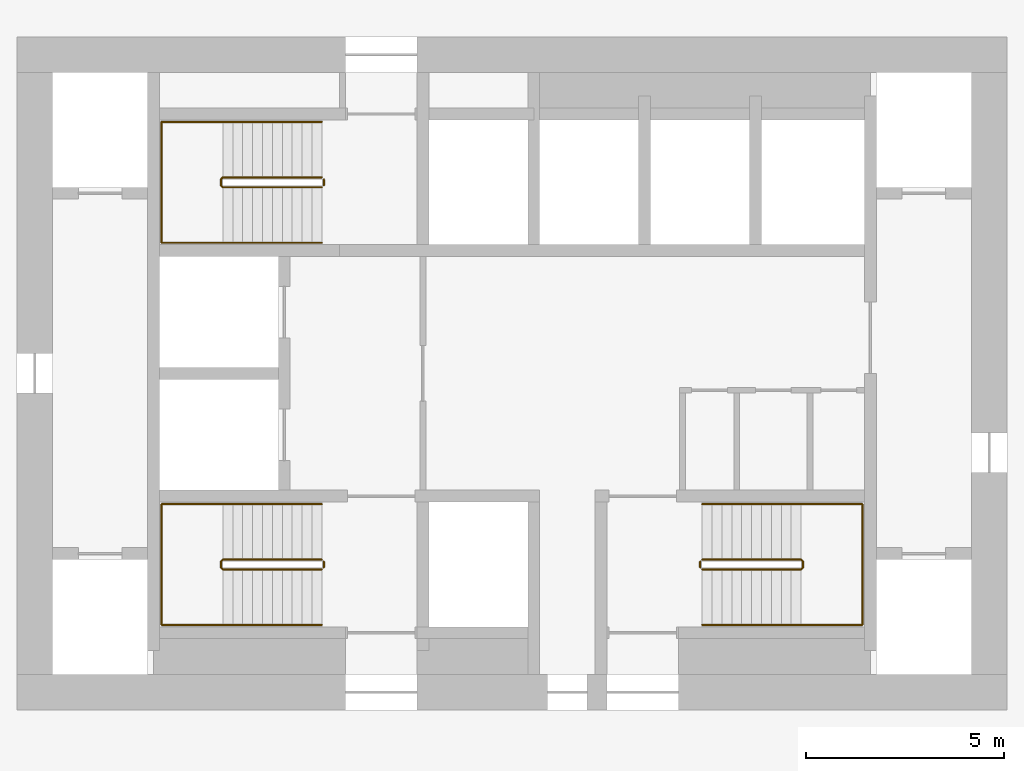
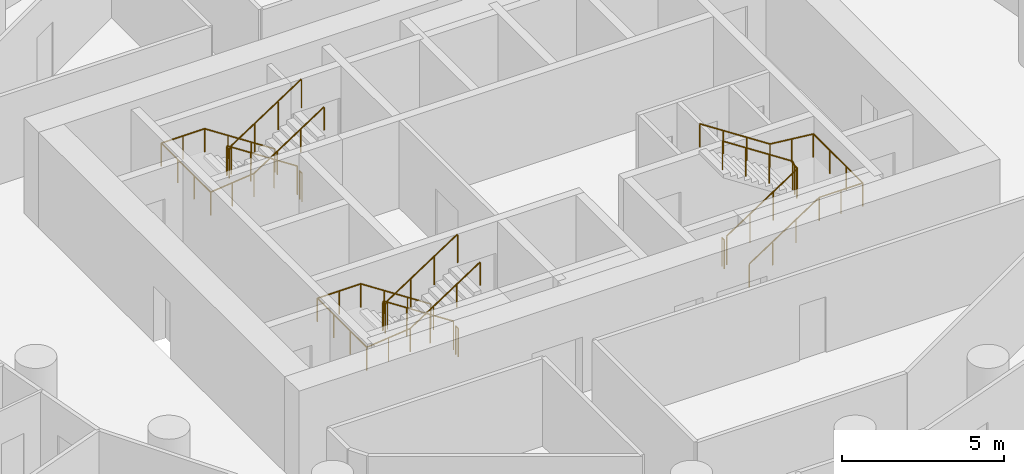
# One storey, part 10 of 10: 9 railings.
"""IFC4 building model written with IfcOpenShell, lengths in metres."""

from ifc_helpers import new_model, si_unit, direction, frame, origin, origin_2d, place, context, subcontext, project, spatial, circle, extrude, material, type_object, element, save


model = new_model("IFC4")

# Units and contexts
model_context = context("Model", 3, precision=1e-05, world=origin(), true_north=direction((0.0, 1.0)))
body_context = subcontext(model_context, "Body", "Model", "MODEL_VIEW")
ifc_project = project(units=[si_unit("LENGTHUNIT", "METRE"), si_unit("AREAUNIT", "SQUARE_METRE"), si_unit("VOLUMEUNIT", "CUBIC_METRE"), si_unit("PLANEANGLEUNIT", "RADIAN"), si_unit("MASSUNIT", "GRAM", prefix="KILO")], contexts=[model_context])

# Site, building, storey
site_placement = place(None, origin())
site = spatial("IfcSite", under=ifc_project, at=site_placement, CompositionType="ELEMENT")
building_placement = place(site_placement, origin())
building = spatial("IfcBuilding", under=site, at=building_placement, Name="Tracery Tower", CompositionType="ELEMENT")
storey_placement = place(building_placement, frame((0.0, 0.0, 144.0)))
storey = spatial("IfcBuildingStorey", under=building, at=storey_placement, Name="L36", CompositionType="ELEMENT", Elevation=144.0)

# Railings
ifc_material_1 = material(Name="Stainless steel and laminated glass", Category="steel")
railing_type_1 = type_object("IfcRailingType", Name="Stair guard 1100", PredefinedType="GUARDRAIL", material=ifc_material_1)
railing_1_placement = place(storey_placement, frame((-4.800048828125, -4.699951171875, 0.16357421875)))
element("IfcRailing", 1, at=railing_1_placement, inside=storey, type_object=railing_type_1, Name="L36 stair ST1 guard 1", PredefinedType="GUARDRAIL", context=body_context, shape_type="SweptSolid", body=[
    extrude(circle(Radius=0.02392578125, at=origin_2d()), frame((0.0, 0.0, 1.076171875), z_axis=(-0.83668449804, 0.0, 0.54768517484), x_axis=(0.0, -1.0, 0.0)), (0.0, 0.0, 1.0), 2.988037109375),
    extrude(circle(Radius=0.02392578125, at=origin_2d()), frame((-2.5, 0.0, 2.71240234375), z_axis=(-0.707106781187, -0.707106781187, 0.0), x_axis=(0.707106781187, -0.707106781187, 0.0)), (0.0, 0.0, 1.0), 0.07080078125),
    extrude(circle(Radius=0.02392578125, at=origin_2d()), frame((-2.550048828125, -0.050048828125, 2.71240234375), z_axis=(0.0, -1.0, 0.0), x_axis=(1.0, 0.0, 0.0)), (0.0, 0.0, 1.0), 0.14990234375),
    extrude(circle(Radius=0.02392578125, at=origin_2d()), frame((-2.550048828125, -0.199951171875, 2.71240234375), z_axis=(0.280808744504, -0.280808744504, 0.917765164963), x_axis=(0.707106781187, 0.707106781187, 0.0)), (0.0, 0.0, 1.0), 0.17822265625),
    extrude(circle(Radius=0.02392578125, at=origin_2d()), frame((-2.5, -0.25, 2.8759765625), z_axis=(0.83668449804, 0.0, 0.54768517484), x_axis=(0.0, 1.0, 0.0)), (0.0, 0.0, 1.0), 2.988037109375),
    extrude(circle(Radius=0.02099609375, at=origin_2d()), origin(), (0.0, 0.0, 1.0), 1.052001953125),
    extrude(circle(Radius=0.02099609375, at=origin_2d()), frame((-0.833251953125, 0.0, 0.54541015625)), (0.0, 0.0, 1.0), 1.052001953125),
    extrude(circle(Radius=0.02099609375, at=origin_2d()), frame((-1.666748046875, 0.0, 1.091064453125)), (0.0, 0.0, 1.0), 1.052001953125),
    extrude(circle(Radius=0.02099609375, at=origin_2d()), frame((-2.5, 0.0, 1.636474609375)), (0.0, 0.0, 1.0), 1.052001953125),
    extrude(circle(Radius=0.02099609375, at=origin_2d()), frame((-2.550048828125, -0.050048828125, 1.636474609375)), (0.0, 0.0, 1.0), 1.052001953125),
    extrude(circle(Radius=0.02099609375, at=origin_2d()), frame((-2.550048828125, -0.199951171875, 1.636474609375)), (0.0, 0.0, 1.0), 1.052001953125),
    extrude(circle(Radius=0.02099609375, at=origin_2d()), frame((-2.5, -0.25, 1.800048828125)), (0.0, 0.0, 1.0), 1.052001953125),
    extrude(circle(Radius=0.02099609375, at=origin_2d()), frame((-1.666748046875, -0.25, 2.345458984375)), (0.0, 0.0, 1.0), 1.052001953125),
    extrude(circle(Radius=0.02099609375, at=origin_2d()), frame((-0.833251953125, -0.25, 2.89111328125)), (0.0, 0.0, 1.0), 1.052001953125),
    extrude(circle(Radius=0.02099609375, at=origin_2d()), frame((0.0, -0.25, 3.4365234375)), (0.0, 0.0, 1.0), 1.052001953125),
])
railing_2_placement = place(storey_placement, frame((-4.75, -4.75, 0.0)))
element("IfcRailing", 2, at=railing_2_placement, inside=storey, type_object=railing_type_1, Name="L36 stair ST1 guard 2", PredefinedType="GUARDRAIL", context=body_context, shape_type="SweptSolid", body=[
    extrude(circle(Radius=0.02392578125, at=origin_2d()), frame((0.0, 0.0, 1.076171875), z_axis=(0.0, -1.0, 0.0), x_axis=(1.0, 0.0, 0.0)), (0.0, 0.0, 1.0), 0.14990234375),
    extrude(circle(Radius=0.02099609375, at=origin_2d()), origin(), (0.0, 0.0, 1.0), 1.052001953125),
    extrude(circle(Radius=0.02099609375, at=origin_2d()), frame((0.0, -0.14990234375, 0.0)), (0.0, 0.0, 1.0), 1.052001953125),
])
railing_3_placement = place(storey_placement, frame((-4.800048828125, 4.949951171875, 0.16357421875)))
element("IfcRailing", 3, at=railing_3_placement, inside=storey, type_object=railing_type_1, Name="L36 stair ST3 guard 1", PredefinedType="GUARDRAIL", context=body_context, shape_type="SweptSolid", body=[
    extrude(circle(Radius=0.02392578125, at=origin_2d()), frame((0.0, 0.0, 1.076171875), z_axis=(-0.83668449804, 0.0, 0.54768517484), x_axis=(0.0, -1.0, 0.0)), (0.0, 0.0, 1.0), 2.988037109375),
    extrude(circle(Radius=0.02392578125, at=origin_2d()), frame((-2.5, 0.0, 2.71240234375), z_axis=(-0.707106781187, -0.707106781187, 0.0), x_axis=(0.707106781187, -0.707106781187, 0.0)), (0.0, 0.0, 1.0), 0.07080078125),
    extrude(circle(Radius=0.02392578125, at=origin_2d()), frame((-2.550048828125, -0.050048828125, 2.71240234375), z_axis=(0.0, -1.0, 0.0), x_axis=(1.0, 0.0, 0.0)), (0.0, 0.0, 1.0), 0.14990234375),
    extrude(circle(Radius=0.02392578125, at=origin_2d()), frame((-2.550048828125, -0.199951171875, 2.71240234375), z_axis=(0.280808744504, -0.280808744504, 0.917765164963), x_axis=(0.707106781187, 0.707106781187, 0.0)), (0.0, 0.0, 1.0), 0.17822265625),
    extrude(circle(Radius=0.02392578125, at=origin_2d()), frame((-2.5, -0.25, 2.8759765625), z_axis=(0.83668449804, 0.0, 0.54768517484), x_axis=(0.0, 1.0, 0.0)), (0.0, 0.0, 1.0), 2.988037109375),
    extrude(circle(Radius=0.02099609375, at=origin_2d()), origin(), (0.0, 0.0, 1.0), 1.052001953125),
    extrude(circle(Radius=0.02099609375, at=origin_2d()), frame((-0.833251953125, 0.0, 0.54541015625)), (0.0, 0.0, 1.0), 1.052001953125),
    extrude(circle(Radius=0.02099609375, at=origin_2d()), frame((-1.666748046875, 0.0, 1.091064453125)), (0.0, 0.0, 1.0), 1.052001953125),
    extrude(circle(Radius=0.02099609375, at=origin_2d()), frame((-2.5, 0.0, 1.636474609375)), (0.0, 0.0, 1.0), 1.052001953125),
    extrude(circle(Radius=0.02099609375, at=origin_2d()), frame((-2.550048828125, -0.050048828125, 1.636474609375)), (0.0, 0.0, 1.0), 1.052001953125),
    extrude(circle(Radius=0.02099609375, at=origin_2d()), frame((-2.550048828125, -0.199951171875, 1.636474609375)), (0.0, 0.0, 1.0), 1.052001953125),
    extrude(circle(Radius=0.02099609375, at=origin_2d()), frame((-2.5, -0.25, 1.800048828125)), (0.0, 0.0, 1.0), 1.052001953125),
    extrude(circle(Radius=0.02099609375, at=origin_2d()), frame((-1.666748046875, -0.25, 2.345458984375)), (0.0, 0.0, 1.0), 1.052001953125),
    extrude(circle(Radius=0.02099609375, at=origin_2d()), frame((-0.833251953125, -0.25, 2.89111328125)), (0.0, 0.0, 1.0), 1.052001953125),
    extrude(circle(Radius=0.02099609375, at=origin_2d()), frame((0.0, -0.25, 3.4365234375)), (0.0, 0.0, 1.0), 1.052001953125),
])
railing_4_placement = place(storey_placement, frame((-4.75, 4.89990234375, 0.0)))
element("IfcRailing", 4, at=railing_4_placement, inside=storey, type_object=railing_type_1, Name="L36 stair ST3 guard 2", PredefinedType="GUARDRAIL", context=body_context, shape_type="SweptSolid", body=[
    extrude(circle(Radius=0.02392578125, at=origin_2d()), frame((0.0, 0.0, 1.076171875), z_axis=(0.0, -1.0, 0.0), x_axis=(1.0, 0.0, 0.0)), (0.0, 0.0, 1.0), 0.14990234375),
    extrude(circle(Radius=0.02099609375, at=origin_2d()), origin(), (0.0, 0.0, 1.0), 1.052001953125),
    extrude(circle(Radius=0.02099609375, at=origin_2d()), frame((0.0, -0.14990234375, 0.0)), (0.0, 0.0, 1.0), 1.052001953125),
])
railing_5_placement = place(storey_placement, frame((4.800048828125, -4.949951171875, 0.16357421875)))
element("IfcRailing", 5, at=railing_5_placement, inside=storey, type_object=railing_type_1, Name="L36 stair ST2 guard 1", PredefinedType="GUARDRAIL", context=body_context, shape_type="SweptSolid", body=[
    extrude(circle(Radius=0.02392578125, at=origin_2d()), frame((0.0, 0.0, 1.076171875), z_axis=(0.83668449804, 0.0, 0.54768517484), x_axis=(0.0, 1.0, 0.0)), (0.0, 0.0, 1.0), 2.988037109375),
    extrude(circle(Radius=0.02392578125, at=origin_2d()), frame((2.5, 0.0, 2.71240234375), z_axis=(0.707106781187, 0.707106781187, 0.0), x_axis=(-0.707106781187, 0.707106781187, 0.0)), (0.0, 0.0, 1.0), 0.07080078125),
    extrude(circle(Radius=0.02392578125, at=origin_2d()), frame((2.550048828125, 0.050048828125, 2.71240234375), z_axis=(0.0, 1.0, 0.0), x_axis=(-1.0, 0.0, 0.0)), (0.0, 0.0, 1.0), 0.14990234375),
    extrude(circle(Radius=0.02392578125, at=origin_2d()), frame((2.550048828125, 0.199951171875, 2.71240234375), z_axis=(-0.280808744504, 0.280808744504, 0.917765164963), x_axis=(-0.707106781187, -0.707106781187, 0.0)), (0.0, 0.0, 1.0), 0.17822265625),
    extrude(circle(Radius=0.02392578125, at=origin_2d()), frame((2.5, 0.25, 2.8759765625), z_axis=(-0.83668449804, 0.0, 0.54768517484), x_axis=(0.0, -1.0, 0.0)), (0.0, 0.0, 1.0), 2.988037109375),
    extrude(circle(Radius=0.02099609375, at=origin_2d()), origin(), (0.0, 0.0, 1.0), 1.052001953125),
    extrude(circle(Radius=0.02099609375, at=origin_2d()), frame((0.833251953125, 0.0, 0.54541015625)), (0.0, 0.0, 1.0), 1.052001953125),
    extrude(circle(Radius=0.02099609375, at=origin_2d()), frame((1.666748046875, 0.0, 1.091064453125)), (0.0, 0.0, 1.0), 1.052001953125),
    extrude(circle(Radius=0.02099609375, at=origin_2d()), frame((2.5, 0.0, 1.636474609375)), (0.0, 0.0, 1.0), 1.052001953125),
    extrude(circle(Radius=0.02099609375, at=origin_2d()), frame((2.550048828125, 0.050048828125, 1.636474609375)), (0.0, 0.0, 1.0), 1.052001953125),
    extrude(circle(Radius=0.02099609375, at=origin_2d()), frame((2.550048828125, 0.199951171875, 1.636474609375)), (0.0, 0.0, 1.0), 1.052001953125),
    extrude(circle(Radius=0.02099609375, at=origin_2d()), frame((2.5, 0.25, 1.800048828125)), (0.0, 0.0, 1.0), 1.052001953125),
    extrude(circle(Radius=0.02099609375, at=origin_2d()), frame((1.666748046875, 0.25, 2.345458984375)), (0.0, 0.0, 1.0), 1.052001953125),
    extrude(circle(Radius=0.02099609375, at=origin_2d()), frame((0.833251953125, 0.25, 2.89111328125)), (0.0, 0.0, 1.0), 1.052001953125),
    extrude(circle(Radius=0.02099609375, at=origin_2d()), frame((0.0, 0.25, 3.4365234375)), (0.0, 0.0, 1.0), 1.052001953125),
])
railing_6_placement = place(storey_placement, frame((4.75, -4.89990234375, 0.0)))
element("IfcRailing", 6, at=railing_6_placement, inside=storey, type_object=railing_type_1, Name="L36 stair ST2 guard 2", PredefinedType="GUARDRAIL", context=body_context, shape_type="SweptSolid", body=[
    extrude(circle(Radius=0.02392578125, at=origin_2d()), frame((0.0, 0.0, 1.076171875), z_axis=(0.0, 1.0, 0.0), x_axis=(-1.0, 0.0, 0.0)), (0.0, 0.0, 1.0), 0.14990234375),
    extrude(circle(Radius=0.02099609375, at=origin_2d()), origin(), (0.0, 0.0, 1.0), 1.052001953125),
    extrude(circle(Radius=0.02099609375, at=origin_2d()), frame((0.0, 0.14990234375, 0.0)), (0.0, 0.0, 1.0), 1.052001953125),
])
ifc_material_2 = material(Name="Stainless steel and laminated glass", Category="steel")
railing_type_2 = type_object("IfcRailingType", Name="Stair handrail 900", PredefinedType="HANDRAIL", material=ifc_material_2)
railing_7_placement = place(storey_placement, frame((-4.800048828125, -3.300048828125, 0.16357421875)))
element("IfcRailing", 7, at=railing_7_placement, inside=storey, type_object=railing_type_2, Name="L36 stair ST1 handrail 1", PredefinedType="HANDRAIL", context=body_context, shape_type="SweptSolid", body=[
    extrude(circle(Radius=0.02392578125, at=origin_2d()), frame((0.0, 0.0, 0.8759765625), z_axis=(-0.83668449804, 0.0, 0.54768517484), x_axis=(0.0, -1.0, 0.0)), (0.0, 0.0, 1.0), 2.988037109375),
    extrude(circle(Radius=0.02392578125, at=origin_2d()), frame((-2.5, 0.0, 2.51220703125), z_axis=(-1.0, 0.0, 0.0), x_axis=(0.0, -1.0, 0.0)), (0.0, 0.0, 1.0), 1.550048828125),
    extrude(circle(Radius=0.02392578125, at=origin_2d()), frame((-4.050048828125, 0.0, 2.51220703125), z_axis=(0.0, -1.0, 0.0), x_axis=(1.0, 0.0, 0.0)), (0.0, 0.0, 1.0), 3.050048828125),
    extrude(circle(Radius=0.02392578125, at=origin_2d()), frame((-4.050048828125, -3.050048828125, 2.51220703125), z_axis=(0.994477953863, 0.0, 0.104945696817), x_axis=(0.0, 1.0, 0.0)), (0.0, 0.0, 1.0), 1.55859375),
    extrude(circle(Radius=0.02392578125, at=origin_2d()), frame((-2.5, -3.050048828125, 2.67578125), z_axis=(0.83668449804, 0.0, 0.54768517484), x_axis=(0.0, 1.0, 0.0)), (0.0, 0.0, 1.0), 2.988037109375),
    extrude(circle(Radius=0.02099609375, at=origin_2d()), origin(), (0.0, 0.0, 1.0), 0.851806640625),
    extrude(circle(Radius=0.02099609375, at=origin_2d()), frame((-0.833251953125, 0.0, 0.54541015625)), (0.0, 0.0, 1.0), 0.851806640625),
    extrude(circle(Radius=0.02099609375, at=origin_2d()), frame((-1.666748046875, 0.0, 1.091064453125)), (0.0, 0.0, 1.0), 0.851806640625),
    extrude(circle(Radius=0.02099609375, at=origin_2d()), frame((-2.5, 0.0, 1.636474609375)), (0.0, 0.0, 1.0), 0.851806640625),
    extrude(circle(Radius=0.02099609375, at=origin_2d()), frame((-3.27490234375, 0.0, 1.636474609375)), (0.0, 0.0, 1.0), 0.851806640625),
    extrude(circle(Radius=0.02099609375, at=origin_2d()), frame((-4.050048828125, 0.0, 1.636474609375)), (0.0, 0.0, 1.0), 0.851806640625),
    extrude(circle(Radius=0.02099609375, at=origin_2d()), frame((-4.050048828125, -1.0166015625, 1.636474609375)), (0.0, 0.0, 1.0), 0.851806640625),
    extrude(circle(Radius=0.02099609375, at=origin_2d()), frame((-4.050048828125, -2.033447265625, 1.636474609375)), (0.0, 0.0, 1.0), 0.851806640625),
    extrude(circle(Radius=0.02099609375, at=origin_2d()), frame((-4.050048828125, -3.050048828125, 1.636474609375)), (0.0, 0.0, 1.0), 0.851806640625),
    extrude(circle(Radius=0.02099609375, at=origin_2d()), frame((-3.27490234375, -3.050048828125, 1.71826171875)), (0.0, 0.0, 1.0), 0.851806640625),
    extrude(circle(Radius=0.02099609375, at=origin_2d()), frame((-2.5, -3.050048828125, 1.800048828125)), (0.0, 0.0, 1.0), 0.851806640625),
    extrude(circle(Radius=0.02099609375, at=origin_2d()), frame((-1.666748046875, -3.050048828125, 2.345458984375)), (0.0, 0.0, 1.0), 0.851806640625),
    extrude(circle(Radius=0.02099609375, at=origin_2d()), frame((-0.833251953125, -3.050048828125, 2.89111328125)), (0.0, 0.0, 1.0), 0.851806640625),
    extrude(circle(Radius=0.02099609375, at=origin_2d()), frame((0.0, -3.050048828125, 3.4365234375)), (0.0, 0.0, 1.0), 0.851806640625),
])
railing_8_placement = place(storey_placement, frame((-4.800048828125, 6.35009765625, 0.16357421875)))
element("IfcRailing", 8, at=railing_8_placement, inside=storey, type_object=railing_type_2, Name="L36 stair ST3 handrail 1", PredefinedType="HANDRAIL", context=body_context, shape_type="SweptSolid", body=[
    extrude(circle(Radius=0.02392578125, at=origin_2d()), frame((0.0, 0.0, 0.8759765625), z_axis=(-0.83668449804, 0.0, 0.54768517484), x_axis=(0.0, -1.0, 0.0)), (0.0, 0.0, 1.0), 2.988037109375),
    extrude(circle(Radius=0.02392578125, at=origin_2d()), frame((-2.5, 0.0, 2.51220703125), z_axis=(-1.0, 0.0, 0.0), x_axis=(0.0, -1.0, 0.0)), (0.0, 0.0, 1.0), 1.550048828125),
    extrude(circle(Radius=0.02392578125, at=origin_2d()), frame((-4.050048828125, 0.0, 2.51220703125), z_axis=(0.0, -1.0, 0.0), x_axis=(1.0, 0.0, 0.0)), (0.0, 0.0, 1.0), 3.050048828125),
    extrude(circle(Radius=0.02392578125, at=origin_2d()), frame((-4.050048828125, -3.050048828125, 2.51220703125), z_axis=(0.994477953863, 0.0, 0.104945696817), x_axis=(0.0, 1.0, 0.0)), (0.0, 0.0, 1.0), 1.55859375),
    extrude(circle(Radius=0.02392578125, at=origin_2d()), frame((-2.5, -3.050048828125, 2.67578125), z_axis=(0.83668449804, 0.0, 0.54768517484), x_axis=(0.0, 1.0, 0.0)), (0.0, 0.0, 1.0), 2.988037109375),
    extrude(circle(Radius=0.02099609375, at=origin_2d()), origin(), (0.0, 0.0, 1.0), 0.851806640625),
    extrude(circle(Radius=0.02099609375, at=origin_2d()), frame((-0.833251953125, 0.0, 0.54541015625)), (0.0, 0.0, 1.0), 0.851806640625),
    extrude(circle(Radius=0.02099609375, at=origin_2d()), frame((-1.666748046875, 0.0, 1.091064453125)), (0.0, 0.0, 1.0), 0.851806640625),
    extrude(circle(Radius=0.02099609375, at=origin_2d()), frame((-2.5, 0.0, 1.636474609375)), (0.0, 0.0, 1.0), 0.851806640625),
    extrude(circle(Radius=0.02099609375, at=origin_2d()), frame((-3.27490234375, 0.0, 1.636474609375)), (0.0, 0.0, 1.0), 0.851806640625),
    extrude(circle(Radius=0.02099609375, at=origin_2d()), frame((-4.050048828125, 0.0, 1.636474609375)), (0.0, 0.0, 1.0), 0.851806640625),
    extrude(circle(Radius=0.02099609375, at=origin_2d()), frame((-4.050048828125, -1.0166015625, 1.636474609375)), (0.0, 0.0, 1.0), 0.851806640625),
    extrude(circle(Radius=0.02099609375, at=origin_2d()), frame((-4.050048828125, -2.033447265625, 1.636474609375)), (0.0, 0.0, 1.0), 0.851806640625),
    extrude(circle(Radius=0.02099609375, at=origin_2d()), frame((-4.050048828125, -3.050048828125, 1.636474609375)), (0.0, 0.0, 1.0), 0.851806640625),
    extrude(circle(Radius=0.02099609375, at=origin_2d()), frame((-3.27490234375, -3.050048828125, 1.71826171875)), (0.0, 0.0, 1.0), 0.851806640625),
    extrude(circle(Radius=0.02099609375, at=origin_2d()), frame((-2.5, -3.050048828125, 1.800048828125)), (0.0, 0.0, 1.0), 0.851806640625),
    extrude(circle(Radius=0.02099609375, at=origin_2d()), frame((-1.666748046875, -3.050048828125, 2.345458984375)), (0.0, 0.0, 1.0), 0.851806640625),
    extrude(circle(Radius=0.02099609375, at=origin_2d()), frame((-0.833251953125, -3.050048828125, 2.89111328125)), (0.0, 0.0, 1.0), 0.851806640625),
    extrude(circle(Radius=0.02099609375, at=origin_2d()), frame((0.0, -3.050048828125, 3.4365234375)), (0.0, 0.0, 1.0), 0.851806640625),
])
railing_9_placement = place(storey_placement, frame((4.800048828125, -6.35009765625, 0.16357421875)))
element("IfcRailing", 9, at=railing_9_placement, inside=storey, type_object=railing_type_2, Name="L36 stair ST2 handrail 1", PredefinedType="HANDRAIL", context=body_context, shape_type="SweptSolid", body=[
    extrude(circle(Radius=0.02392578125, at=origin_2d()), frame((0.0, 0.0, 0.8759765625), z_axis=(0.83668449804, 0.0, 0.54768517484), x_axis=(0.0, 1.0, 0.0)), (0.0, 0.0, 1.0), 2.988037109375),
    extrude(circle(Radius=0.02392578125, at=origin_2d()), frame((2.5, 0.0, 2.51220703125), z_axis=(1.0, 0.0, 0.0), x_axis=(0.0, 1.0, 0.0)), (0.0, 0.0, 1.0), 1.550048828125),
    extrude(circle(Radius=0.02392578125, at=origin_2d()), frame((4.050048828125, 0.0, 2.51220703125), z_axis=(0.0, 1.0, 0.0), x_axis=(-1.0, 0.0, 0.0)), (0.0, 0.0, 1.0), 3.050048828125),
    extrude(circle(Radius=0.02392578125, at=origin_2d()), frame((4.050048828125, 3.050048828125, 2.51220703125), z_axis=(-0.994477953863, 0.0, 0.104945696817), x_axis=(0.0, -1.0, 0.0)), (0.0, 0.0, 1.0), 1.55859375),
    extrude(circle(Radius=0.02392578125, at=origin_2d()), frame((2.5, 3.050048828125, 2.67578125), z_axis=(-0.83668449804, 0.0, 0.54768517484), x_axis=(0.0, -1.0, 0.0)), (0.0, 0.0, 1.0), 2.988037109375),
    extrude(circle(Radius=0.02099609375, at=origin_2d()), origin(), (0.0, 0.0, 1.0), 0.851806640625),
    extrude(circle(Radius=0.02099609375, at=origin_2d()), frame((0.833251953125, 0.0, 0.54541015625)), (0.0, 0.0, 1.0), 0.851806640625),
    extrude(circle(Radius=0.02099609375, at=origin_2d()), frame((1.666748046875, 0.0, 1.091064453125)), (0.0, 0.0, 1.0), 0.851806640625),
    extrude(circle(Radius=0.02099609375, at=origin_2d()), frame((2.5, 0.0, 1.636474609375)), (0.0, 0.0, 1.0), 0.851806640625),
    extrude(circle(Radius=0.02099609375, at=origin_2d()), frame((3.27490234375, 0.0, 1.636474609375)), (0.0, 0.0, 1.0), 0.851806640625),
    extrude(circle(Radius=0.02099609375, at=origin_2d()), frame((4.050048828125, 0.0, 1.636474609375)), (0.0, 0.0, 1.0), 0.851806640625),
    extrude(circle(Radius=0.02099609375, at=origin_2d()), frame((4.050048828125, 1.0166015625, 1.636474609375)), (0.0, 0.0, 1.0), 0.851806640625),
    extrude(circle(Radius=0.02099609375, at=origin_2d()), frame((4.050048828125, 2.033447265625, 1.636474609375)), (0.0, 0.0, 1.0), 0.851806640625),
    extrude(circle(Radius=0.02099609375, at=origin_2d()), frame((4.050048828125, 3.050048828125, 1.636474609375)), (0.0, 0.0, 1.0), 0.851806640625),
    extrude(circle(Radius=0.02099609375, at=origin_2d()), frame((3.27490234375, 3.050048828125, 1.71826171875)), (0.0, 0.0, 1.0), 0.851806640625),
    extrude(circle(Radius=0.02099609375, at=origin_2d()), frame((2.5, 3.050048828125, 1.800048828125)), (0.0, 0.0, 1.0), 0.851806640625),
    extrude(circle(Radius=0.02099609375, at=origin_2d()), frame((1.666748046875, 3.050048828125, 2.345458984375)), (0.0, 0.0, 1.0), 0.851806640625),
    extrude(circle(Radius=0.02099609375, at=origin_2d()), frame((0.833251953125, 3.050048828125, 2.89111328125)), (0.0, 0.0, 1.0), 0.851806640625),
    extrude(circle(Radius=0.02099609375, at=origin_2d()), frame((0.0, 3.050048828125, 3.4365234375)), (0.0, 0.0, 1.0), 0.851806640625),
])

save(model, "model.ifc")
